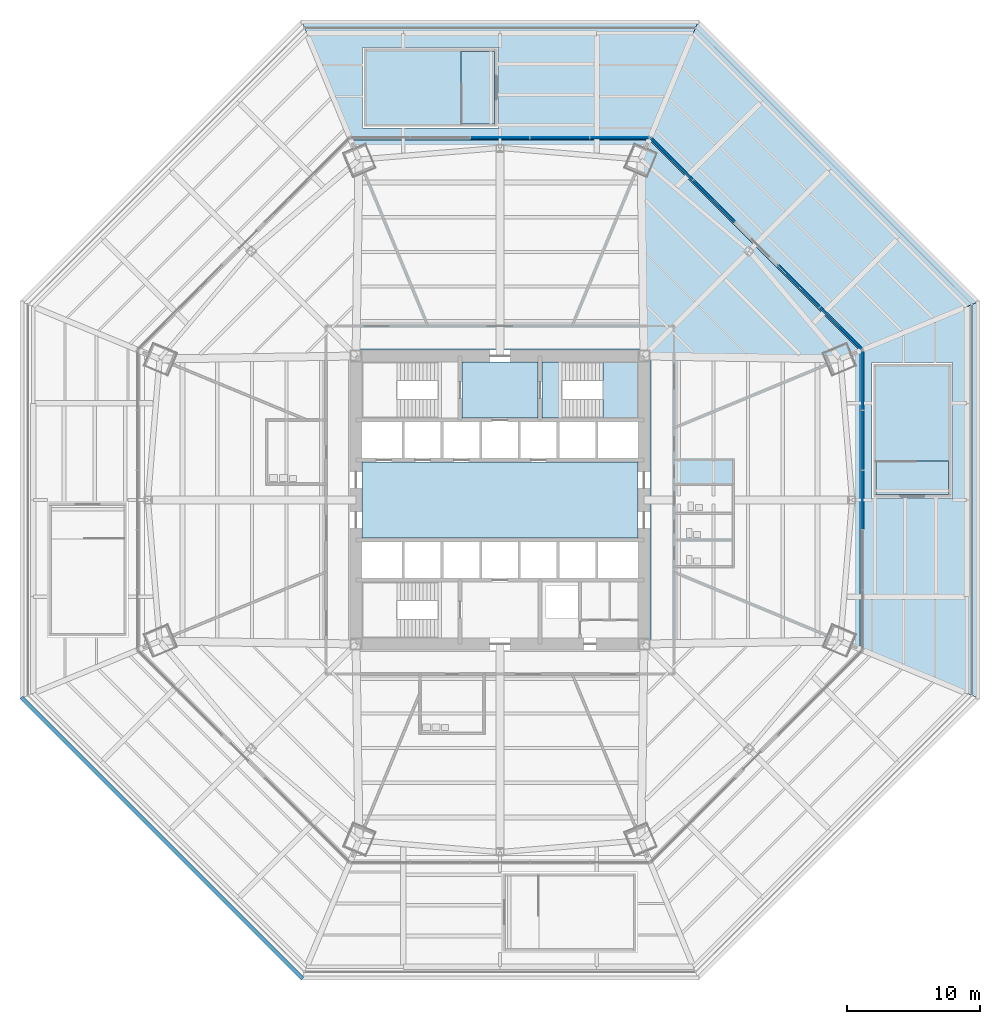
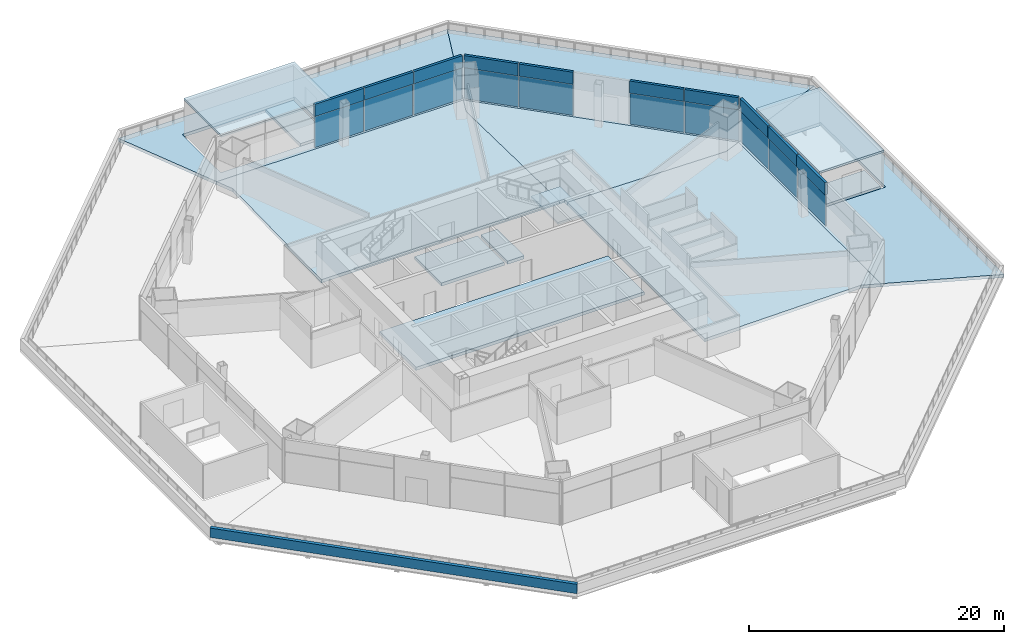
# One storey, part 14 of 25: 20 plates, 14 slabs, 1 wall, 5 elements without a shape of their own.
"""IFC4 building model written with IfcOpenShell, lengths in metres."""

import ifcopenshell
import ifcopenshell.guid

model = None  # the IFC model being written
_history = None  # IfcOwnerHistory: only IFC2X3 demands one
_inside = {}  # id of a spatial element -> (the spatial element, [elements in it])
_under = {}  # id of a project, library or spatial element -> (it, [spatial elements below it])
_declared = {}  # id of a project -> (the project, [libraries it declares])
_typed = {}  # id of a type object -> (the type object, [elements of that type])
_made_of = {}  # id of a material, layer set ... -> (it, [elements and type objects made of it])


def new_model(schema):
    """Start an empty IFC model of exactly this schema.

    Asked for "IFC4X3", IfcOpenShell would pick the latest addendum, in which some entities
    have other attributes; the version numbers below select the first issue.
    IFC2X3 requires an IfcOwnerHistory on every rooted entity: one is made here for all.
    """
    global model, _history
    if schema == "IFC4X3":
        model = ifcopenshell.file(schema_version=(4, 3, 0, 0))
    else:
        model = ifcopenshell.file(schema=schema)
    _inside.clear()
    _under.clear()
    _declared.clear()
    _typed.clear()
    _made_of.clear()
    _history = None
    if model.schema == "IFC2X3":
        org = make("IfcOrganization", Name="unknown")
        user = make(
            "IfcPersonAndOrganization",
            ThePerson=make("IfcPerson", FamilyName="unknown"),
            TheOrganization=org,
        )
        app = make(
            "IfcApplication",
            ApplicationDeveloper=org,
            Version="unknown",
            ApplicationFullName="unknown",
            ApplicationIdentifier="unknown",
        )
        _history = make(
            "IfcOwnerHistory",
            OwningUser=user,
            OwningApplication=app,
            ChangeAction="ADDED",
            CreationDate=0,
        )
    return model


def make(cls, **values):
    """One entity of the class cls with the attributes given. An attribute that is None is left unset."""
    return model.create_entity(
        cls, **{name: value for name, value in values.items() if value is not None}
    )


def rooted(cls, **values):
    """An entity with a GlobalId (a new one), such as an element, a storey or a relation."""
    return make(cls, GlobalId=ifcopenshell.guid.new(), OwnerHistory=_history, **values)


def si_unit(unit_type, name, prefix=None):
    """IfcSIUnit, for example si_unit("LENGTHUNIT", "METRE", prefix="MILLI")."""
    return make("IfcSIUnit", UnitType=unit_type, Prefix=prefix, Name=name)


def assignment(units):
    """IfcUnitAssignment: the units of a project."""
    return None if units is None else make("IfcUnitAssignment", Units=units)


def point(xyz):
    """IfcCartesianPoint."""
    return None if xyz is None else make("IfcCartesianPoint", Coordinates=xyz)


def direction(xyz):
    """IfcDirection."""
    return None if xyz is None else make("IfcDirection", DirectionRatios=xyz)


def frame(location, z_axis=None, x_axis=None):
    """IfcAxis2Placement3D, a coordinate frame: its origin and axes. An axis left out is left unset."""
    return make(
        "IfcAxis2Placement3D",
        Location=point(location),
        Axis=direction(z_axis),
        RefDirection=direction(x_axis),
    )


def frame_2d(location, x_axis=None):
    """IfcAxis2Placement2D, a coordinate frame in the plane: its origin and x axis."""
    return make(
        "IfcAxis2Placement2D", Location=point(location), RefDirection=direction(x_axis)
    )


def origin():
    """The frame at (0, 0, 0) with its axes left unset."""
    return frame((0.0, 0.0, 0.0))


def origin_2d():
    """The frame at (0, 0) in the plane with its x axis left unset."""
    return frame_2d((0.0, 0.0))


def place(relative_to, where):
    """IfcLocalPlacement: puts the frame where relative to a parent placement (None: the world)."""
    return make(
        "IfcLocalPlacement", PlacementRelTo=relative_to, RelativePlacement=where
    )


def context(
    kind, dimensions, precision=None, world=None, true_north=None, identifier=None
):
    """IfcGeometricRepresentationContext, for example the 3D "Model" context."""
    return make(
        "IfcGeometricRepresentationContext",
        ContextIdentifier=identifier,
        ContextType=kind,
        CoordinateSpaceDimension=dimensions,
        Precision=precision,
        WorldCoordinateSystem=world,
        TrueNorth=true_north,
    )


def subcontext(parent, identifier, kind, view, scale=None):
    """IfcGeometricRepresentationSubContext, for example "Body" below "Model"."""
    return make(
        "IfcGeometricRepresentationSubContext",
        ContextIdentifier=identifier,
        ContextType=kind,
        ParentContext=parent,
        TargetScale=scale,
        TargetView=view,
    )


def project(units=None, contexts=None):
    """IfcProject with its units and contexts."""
    return rooted(
        "IfcProject",
        Name="project",
        RepresentationContexts=contexts,
        UnitsInContext=assignment(units),
    )


def spatial(cls, under=None, at=None, **own):
    """A site, building, storey or space (cls), placed at a placement, below another one or the project."""
    s = rooted(cls, ObjectPlacement=at, **own)
    if under is not None:
        _under.setdefault(under.id(), (under, []))[1].append(s)
    return s


def polyline(points):
    """IfcPolyline through the points."""
    return make("IfcPolyline", Points=[point(p) for p in points])


def profile(cls, at=None, kind="AREA", **sizes):
    """A parametric profile (cls). Its sizes go by their IFC names, for example OverallWidth=200.0."""
    return make(cls, ProfileType=kind, Position=at, **sizes)


def rectangle(**sizes):
    """IfcRectangleProfileDef."""
    return profile("IfcRectangleProfileDef", **sizes)


def outline(outer, holes=None, kind="AREA"):
    """IfcArbitraryClosedProfileDef: a profile drawn as a closed curve; with holes, ...WithVoids."""
    if holes is None:
        return make("IfcArbitraryClosedProfileDef", ProfileType=kind, OuterCurve=outer)
    return make(
        "IfcArbitraryProfileDefWithVoids",
        ProfileType=kind,
        OuterCurve=outer,
        InnerCurves=holes,
    )


def extrude(swept, where, along, depth):
    """IfcExtrudedAreaSolid: the profile swept, set in the frame where, extruded along a direction by depth."""
    return make(
        "IfcExtrudedAreaSolid",
        SweptArea=swept,
        Position=where,
        ExtrudedDirection=direction(along),
        Depth=depth,
    )


def shape(context_of_items, identifier, shape_type, items):
    """IfcShapeRepresentation: the items that make up one representation, for example the "Body"."""
    return make(
        "IfcShapeRepresentation",
        ContextOfItems=context_of_items,
        RepresentationIdentifier=identifier,
        RepresentationType=shape_type,
        Items=items,
    )


def source(mapping_origin, context_of_items, identifier, shape_type, items):
    """IfcRepresentationMap: a shape defined once, which mapped items show again and again."""
    return make(
        "IfcRepresentationMap",
        MappingOrigin=mapping_origin,
        MappedRepresentation=shape(context_of_items, identifier, shape_type, items),
    )


def transform(
    local_origin,
    x_axis=None,
    y_axis=None,
    z_axis=None,
    scale=None,
    scale2=None,
    scale3=None,
    uniform=True,
):
    """IfcCartesianTransformationOperator3D, or its non-uniform kind. x_axis, y_axis, z_axis: its Axis1, 2, 3."""
    if uniform:
        return make(
            "IfcCartesianTransformationOperator3D",
            Axis1=direction(x_axis),
            Axis2=direction(y_axis),
            LocalOrigin=point(local_origin),
            Scale=scale,
            Axis3=direction(z_axis),
        )
    return make(
        "IfcCartesianTransformationOperator3DnonUniform",
        Axis1=direction(x_axis),
        Axis2=direction(y_axis),
        LocalOrigin=point(local_origin),
        Scale=scale,
        Axis3=direction(z_axis),
        Scale2=scale2,
        Scale3=scale3,
    )


def mapped(mapping_source, mapping_target):
    """IfcMappedItem: shows the shape of a source again, moved by a transform."""
    return make(
        "IfcMappedItem", MappingSource=mapping_source, MappingTarget=mapping_target
    )


def material(Name=None, Category=None):
    """IfcMaterial."""
    return make("IfcMaterial", Name=Name, Category=Category)


def layer(
    of_material, thickness, ventilated=None, Name=None, Category=None, Priority=None
):
    """IfcMaterialLayer: one layer of a wall or slab, of a material (None: an air gap)."""
    return make(
        "IfcMaterialLayer",
        Material=of_material,
        LayerThickness=thickness,
        IsVentilated=ventilated,
        Name=Name,
        Category=Category,
        Priority=Priority,
    )


def layer_set(layers, Name=None):
    """IfcMaterialLayerSet."""
    return make("IfcMaterialLayerSet", MaterialLayers=layers, LayerSetName=Name)


def made_of(thing, what):
    """Note that an element or type object is made of a material, layer set ...; save() writes the relation."""
    if what is not None:
        _made_of.setdefault(what.id(), (what, []))[1].append(thing)
    return thing


def type_object(cls, material=None, **own):
    """A type object (cls), such as IfcWallType, which elements share."""
    return made_of(rooted(cls, **own), material)


def type_shapes(of_type, sources):
    """Give a type object the sources (RepresentationMaps) that its elements show as mapped items."""
    of_type.RepresentationMaps = sources


def element(
    cls,
    number,
    at=None,
    inside=None,
    cuts=None,
    type_object=None,
    material=None,
    context=None,
    identifier="Body",
    shape_type=None,
    held_by="IfcProductDefinitionShape",
    body=None,
    shapes=None,
    **own,
):
    """One element of the class cls, such as IfcWall. Its Tag is "e" and its number.

    at: its placement. inside: the storey or other place that contains it. cuts: it is an
    opening in that element (IfcRelVoidsElement). A single representation is given by context,
    identifier, shape_type and body (its items); several are given by shapes. held_by: the class
    of the entity that holds the representations. save() writes the other relations.
    """
    e = rooted(cls, Tag="e%d" % number, ObjectPlacement=at, **own)
    if body is not None:
        shapes = [shape(context, identifier, shape_type, body)]
    if shapes is not None:
        e.Representation = make(held_by, Representations=shapes)
    if inside is not None:
        _inside.setdefault(inside.id(), (inside, []))[1].append(e)
    if cuts is not None:
        rooted(
            "IfcRelVoidsElement", RelatingBuildingElement=cuts, RelatedOpeningElement=e
        )
    if type_object is not None:
        _typed.setdefault(type_object.id(), (type_object, []))[1].append(e)
    return made_of(e, material)


def aggregate(whole, parts):
    """IfcRelAggregates: a whole, such as a stair, and the parts it consists of."""
    return rooted("IfcRelAggregates", RelatingObject=whole, RelatedObjects=parts)


def save(model, path):
    """Write the relations noted so far, then the file.

    IfcRelAggregates (storeys below a building ...), IfcRelContainedInSpatialStructure (elements
    in a storey), IfcRelDefinesByType, IfcRelAssociatesMaterial and IfcRelDeclares: one each for
    every whole, place, type object, material and project.
    """
    for whole, parts in _under.values():
        aggregate(whole, parts)
    for where, things in _inside.values():
        rooted(
            "IfcRelContainedInSpatialStructure",
            RelatedElements=things,
            RelatingStructure=where,
        )
    for kind, things in _typed.values():
        rooted("IfcRelDefinesByType", RelatedObjects=things, RelatingType=kind)
    for what, things in _made_of.values():
        rooted("IfcRelAssociatesMaterial", RelatedObjects=things, RelatingMaterial=what)
    for by, libraries in _declared.values():
        rooted("IfcRelDeclares", RelatingContext=by, RelatedDefinitions=libraries)
    model.write(path)


model = new_model("IFC4")

# Units and contexts
model_context = context("Model", 3, precision=1e-05, world=origin(), true_north=direction((0.0, 1.0)))
body_context = subcontext(model_context, "Body", "Model", "MODEL_VIEW")
ifc_project = project(units=[si_unit("LENGTHUNIT", "METRE"), si_unit("AREAUNIT", "SQUARE_METRE"), si_unit("VOLUMEUNIT", "CUBIC_METRE"), si_unit("PLANEANGLEUNIT", "RADIAN"), si_unit("MASSUNIT", "GRAM", prefix="KILO")], contexts=[model_context])

# Site, building, storey
site_placement = place(None, origin())
site = spatial("IfcSite", under=ifc_project, at=site_placement, CompositionType="ELEMENT")
building_placement = place(site_placement, origin())
building = spatial("IfcBuilding", under=site, at=building_placement, Name="Mashrafa Tower", CompositionType="ELEMENT")
storey_placement = place(building_placement, frame((0.0, 0.0, 28.800048828125)))
storey = spatial("IfcBuildingStorey", under=building, at=storey_placement, Name="L05", CompositionType="ELEMENT", Elevation=28.800048828125)

# Slabs
ifc_material_1 = material(Name="Concrete C35/45", Category="concrete")
ifc_layer_1 = layer(ifc_material_1, 0.300048828125)
ifc_layer_set_1 = layer_set([ifc_layer_1], Name="Floor slab 300")
slab_type_1 = type_object("IfcSlabType", Name="Floor slab 300", PredefinedType="FLOOR", material=ifc_layer_set_1)
slab_1_placement = place(storey_placement, frame((0.0, 0.0, -0.300048828125)))
element("IfcSlab", 1, at=slab_1_placement, inside=storey, type_object=slab_type_1, Name="Floor slab L05 east bay", PredefinedType="FLOOR", context=body_context, shape_type="SweptSolid", body=[
    extrude(outline(polyline([(27.0, 11.183837890625), (27.0, -11.183837890625), (27.0, -11.183837890625), (25.5302734375, -10.574951171875), (11.25, -10.793212890625), (11.25, 10.793212890625), (25.5302734375, 10.574951171875), (27.0, 11.183837890625), (27.0, 11.183837890625)])), origin(), (0.0, 0.0, 1.0), 0.300048828125),
])
slab_2_placement = place(storey_placement, frame((0.0, 0.0, -0.300048828125)))
element("IfcSlab", 2, at=slab_2_placement, inside=storey, type_object=slab_type_1, Name="Floor slab L05 north-east bay", PredefinedType="FLOOR", context=body_context, shape_type="SweptSolid", body=[
    extrude(outline(polyline([(27.0, 11.183837890625), (25.5302734375, 10.574951171875), (11.25, 10.793212890625), (11.25, 11.25), (10.793212890625, 11.25), (10.574951171875, 25.5302734375), (11.183837890625, 27.0), (27.0, 11.183837890625)])), origin(), (0.0, 0.0, 1.0), 0.300048828125),
])
slab_3_placement = place(storey_placement, frame((0.0, 0.0, -0.300048828125)))
element("IfcSlab", 3, at=slab_3_placement, inside=storey, type_object=slab_type_1, Name="Floor slab L05 north bay", PredefinedType="FLOOR", context=body_context, shape_type="SweptSolid", body=[
    extrude(outline(polyline([(-11.183837890625, 27.0), (11.183837890625, 27.0), (11.183837890625, 27.0), (10.574951171875, 25.5302734375), (10.793212890625, 11.25), (-10.793212890625, 11.25), (-10.574951171875, 25.5302734375), (-11.183837890625, 27.0), (-11.183837890625, 27.0)])), origin(), (0.0, 0.0, 1.0), 0.300048828125),
])
slab_4_placement = place(storey_placement, frame((0.0, 0.0, -0.300048828125)))
element("IfcSlab", 4, at=slab_4_placement, inside=storey, type_object=slab_type_1, Name="Core floor lift hall L05", PredefinedType="FLOOR", context=body_context, shape_type="SweptSolid", body=[
    extrude(outline(polyline([(-10.35009765625, 2.85009765625), (10.35009765625, 2.85009765625), (10.35009765625, -2.85009765625), (-10.35009765625, -2.85009765625), (-10.35009765625, 2.85009765625)])), origin(), (0.0, 0.0, 1.0), 0.300048828125),
])
slab_5_placement = place(storey_placement, frame((0.0, 0.0, -0.300048828125)))
element("IfcSlab", 5, at=slab_5_placement, inside=storey, type_object=slab_type_1, Name="Core floor fire-fighting lobby north L05", PredefinedType="FLOOR", context=body_context, shape_type="SweptSolid", body=[
    extrude(outline(polyline([(-2.85009765625, 10.35009765625), (2.85009765625, 10.35009765625), (2.85009765625, 6.14990234375), (-2.85009765625, 6.14990234375), (-2.85009765625, 10.35009765625)])), origin(), (0.0, 0.0, 1.0), 0.300048828125),
])
ifc_material_2 = material(Name="Concrete C35/45", Category="concrete")
ifc_layer_2 = layer(ifc_material_2, 0.300048828125)
ifc_layer_set_2 = layer_set([ifc_layer_2], Name="Roof garden slab 300")
slab_type_2 = type_object("IfcSlabType", Name="Roof garden slab 300", PredefinedType="ROOF", material=ifc_layer_set_2)
slab_6_placement = place(storey_placement, frame((0.0, 0.0, -0.300048828125)))
element("IfcSlab", 6, at=slab_6_placement, inside=storey, type_object=slab_type_2, Name="Podium roof garden slab east", PredefinedType="ROOF", context=body_context, shape_type="SweptSolid", body=[
    extrude(outline(polyline([(36.0, 14.91162109375), (36.0, -14.91162109375), (36.0, -14.91162109375), (27.0, -11.183837890625), (27.0, 11.183837890625), (36.0, 14.91162109375)]), holes=[polyline([(33.949951171875, 10.300048828125), (27.89990234375, 10.300048828125), (27.89990234375, 0.10009765625), (33.949951171875, 0.10009765625), (33.949951171875, 10.300048828125)])]), origin(), (0.0, 0.0, 1.0), 0.300048828125),
])
slab_7_placement = place(storey_placement, frame((0.0, 0.0, -0.300048828125)))
element("IfcSlab", 7, at=slab_7_placement, inside=storey, type_object=slab_type_2, Name="Podium roof garden slab north-east", PredefinedType="ROOF", context=body_context, shape_type="SweptSolid", body=[
    extrude(outline(polyline([(36.0, 14.91162109375), (27.0, 11.183837890625), (11.183837890625, 27.0), (14.91162109375, 36.0), (36.0, 14.91162109375)])), origin(), (0.0, 0.0, 1.0), 0.300048828125),
])
slab_8_placement = place(storey_placement, frame((0.0, 0.0, -0.300048828125)))
element("IfcSlab", 8, at=slab_8_placement, inside=storey, type_object=slab_type_2, Name="Podium roof garden slab north", PredefinedType="ROOF", context=body_context, shape_type="SweptSolid", body=[
    extrude(outline(polyline([(-14.91162109375, 36.0), (14.91162109375, 36.0), (14.91162109375, 36.0), (11.183837890625, 27.0), (-11.183837890625, 27.0), (-14.91162109375, 36.0)]), holes=[polyline([(-0.10009765625, 33.949951171875), (-10.300048828125, 33.949951171875), (-10.300048828125, 27.89990234375), (-0.10009765625, 27.89990234375), (-0.10009765625, 33.949951171875)])]), origin(), (0.0, 0.0, 1.0), 0.300048828125),
])
ifc_material_3 = material(Name="Concrete C40/50", Category="concrete")
ifc_layer_3 = layer(ifc_material_3, 0.199951171875)
ifc_layer_set_3 = layer_set([ifc_layer_3], Name="Stair head-house roof slab 200")
slab_type_3 = type_object("IfcSlabType", Name="Stair head-house roof slab 200", PredefinedType="ROOF", material=ifc_layer_set_3)
slab_9_placement = place(storey_placement, frame((0.0, 0.0, 3.300048828125)))
element("IfcSlab", 9, at=slab_9_placement, inside=storey, type_object=slab_type_3, Name="Stair P1 head-house roof", PredefinedType="ROOF", context=body_context, shape_type="SweptSolid", body=[
    extrude(outline(polyline([(28.0, 0.199951171875), (33.85009765625, 0.199951171875), (33.85009765625, 10.199951171875), (28.0, 10.199951171875), (28.0, 0.199951171875)])), origin(), (0.0, 0.0, 1.0), 0.199951171875),
])
slab_10_placement = place(storey_placement, frame((0.0, 0.0, 3.300048828125)))
element("IfcSlab", 10, at=slab_10_placement, inside=storey, type_object=slab_type_3, Name="Stair P2 head-house roof", PredefinedType="ROOF", context=body_context, shape_type="SweptSolid", body=[
    extrude(outline(polyline([(-10.199951171875, 28.0), (-0.199951171875, 28.0), (-0.199951171875, 33.85009765625), (-10.199951171875, 33.85009765625), (-10.199951171875, 28.0)])), origin(), (0.0, 0.0, 1.0), 0.199951171875),
])

# Stair, slabs
ifc_material_4 = material(Name="Exit stair 1400")
stair_type = type_object("IfcStairType", Name="Exit stair 1400", PredefinedType="HALF_TURN_STAIR", material=ifc_material_4)
stair_placement = place(storey_placement, origin())
stair = element("IfcStair", 11, at=stair_placement, inside=storey, type_object=stair_type, Name="Stair S2 L05", PredefinedType="HALF_TURN_STAIR")
ifc_material_5 = material(Name="Concrete C32/40", Category="concrete")
ifc_layer_4 = layer(ifc_material_5, 0.199951171875)
ifc_layer_set_4 = layer_set([ifc_layer_4], Name="Stair landing 200")
slab_type_4 = type_object("IfcSlabType", Name="Stair landing 200", PredefinedType="LANDING", material=ifc_layer_set_4)
slab_11_placement = place(storey_placement, frame((0.0, 0.0, 1.89990234375)))
slab_11 = element("IfcSlab", 12, at=slab_11_placement, type_object=slab_type_4, Name="S2 landing 2", PredefinedType="LANDING", context=body_context, shape_type="SweptSolid", body=[
    extrude(outline(polyline([(7.719970703125, 6.14990234375), (10.35009765625, 6.14990234375), (10.35009765625, 10.35009765625), (7.719970703125, 10.35009765625), (7.719970703125, 6.14990234375)])), origin(), (0.0, 0.0, 1.0), 0.199951171875),
])
ifc_material_6 = material(Name="Concrete C32/40", Category="concrete")
ifc_layer_5 = layer(ifc_material_6, 0.300048828125)
ifc_layer_set_5 = layer_set([ifc_layer_5], Name="Stair landing 300")
slab_type_5 = type_object("IfcSlabType", Name="Stair landing 300", PredefinedType="LANDING", material=ifc_layer_set_5)
slab_12_placement = place(storey_placement, frame((0.0, 0.0, -0.300048828125)))
slab_12 = element("IfcSlab", 13, at=slab_12_placement, type_object=slab_type_5, Name="S2 landing 1", PredefinedType="LANDING", context=body_context, shape_type="SweptSolid", body=[
    extrude(outline(polyline([(3.14990234375, 6.14990234375), (4.659912109375, 6.14990234375), (4.659912109375, 10.35009765625), (3.14990234375, 10.35009765625), (3.14990234375, 6.14990234375)])), origin(), (0.0, 0.0, 1.0), 0.300048828125),
])
aggregate(stair, [slab_12, slab_11])

# Slabs
slab_13_placement = place(storey_placement, frame((0.0, 0.0, -0.300048828125)))
element("IfcSlab", 14, at=slab_13_placement, inside=storey, type_object=slab_type_5, Name="Stair P1 landing L05", PredefinedType="LANDING", context=body_context, shape_type="SweptSolid", body=[
    extrude(outline(polyline([(33.64990234375, 0.39990234375), (33.64990234375, 2.909912109375), (28.199951171875, 2.909912109375), (28.199951171875, 0.39990234375), (33.64990234375, 0.39990234375)])), origin(), (0.0, 0.0, 1.0), 0.300048828125),
])
slab_14_placement = place(storey_placement, frame((0.0, 0.0, -0.300048828125)))
element("IfcSlab", 15, at=slab_14_placement, inside=storey, type_object=slab_type_5, Name="Stair P2 landing L05", PredefinedType="LANDING", context=body_context, shape_type="SweptSolid", body=[
    extrude(outline(polyline([(-2.909912109375, 28.199951171875), (-0.39990234375, 28.199951171875), (-0.39990234375, 33.64990234375), (-2.909912109375, 33.64990234375), (-2.909912109375, 28.199951171875)])), origin(), (0.0, 0.0, 1.0), 0.300048828125),
])

# Curtain wall, plate
ifc_material_7 = material(Name="Unitised aluminium curtain wall", Category="aluminium")
curtain_wall_type = type_object("IfcCurtainWallType", Name="Office curtain wall, zone 1 CW-A 200 deep", PredefinedType="NOTDEFINED", material=ifc_material_7)
curtain_wall_1_placement = place(storey_placement, origin())
curtain_wall_1 = element("IfcCurtainWall", 16, at=curtain_wall_1_placement, inside=storey, type_object=curtain_wall_type, Name="Office curtain wall, zone 1 L05 east", PredefinedType="NOTDEFINED")
ifc_material_8 = material(Name="Insulated double glazing, low-e, neutral", Category="glass")
ifc_layer_6 = layer(ifc_material_8, 0.028076171875)
ifc_layer_set_6 = layer_set([ifc_layer_6], Name="Vision panel CW-A 28")
plate_type_1 = type_object("IfcPlateType", Name="Vision panel CW-A 28", PredefinedType="CURTAIN_PANEL", material=ifc_layer_set_6)
shared_shape_1 = source(origin(), body_context, "Body", "SweptSolid", [
    extrude(rectangle(XDim=4.388671875, YDim=0.028076171875, at=origin_2d()), origin(), (0.0, 0.0, 1.0), 2.9599609375),
])
plate_1_placement = place(storey_placement, frame((27.199951171875, 8.955810546875, 0.0), z_axis=(0.0, 0.0, 1.0), x_axis=(0.0, 1.0, 0.0)))
plate_1 = element("IfcPlate", 17, at=plate_1_placement, type_object=plate_type_1, Name="CW-A vision panel 5", PredefinedType="CURTAIN_PANEL", context=body_context, shape_type="MappedRepresentation", body=[
    mapped(shared_shape_1, transform((0.0, 0.0, 0.0))),
])

# Curtain wall, plates
curtain_wall_2_placement = place(storey_placement, origin())
curtain_wall_2 = element("IfcCurtainWall", 18, at=curtain_wall_2_placement, inside=storey, type_object=curtain_wall_type, Name="Office curtain wall, zone 1 L05 north-east part 1", PredefinedType="NOTDEFINED")
plate_2_placement = place(storey_placement, frame((25.566162109375, 12.900634765625, 0.0), z_axis=(0.0, 0.0, 1.0), x_axis=(-0.707106781187, 0.707106781187, 0.0)))
plate_2 = element("IfcPlate", 19, at=plate_2_placement, type_object=plate_type_1, Name="CW-A vision panel 1", PredefinedType="CURTAIN_PANEL", context=body_context, shape_type="MappedRepresentation", body=[
    mapped(shared_shape_1, transform((0.0, 0.0, 0.0))),
])
plate_3_placement = place(storey_placement, frame((22.4169921875, 16.049560546875, 0.0), z_axis=(0.0, 0.0, 1.0), x_axis=(-0.707106781187, 0.707106781187, 0.0)))
plate_3 = element("IfcPlate", 20, at=plate_3_placement, type_object=plate_type_1, Name="CW-A vision panel 2", PredefinedType="CURTAIN_PANEL", context=body_context, shape_type="MappedRepresentation", body=[
    mapped(shared_shape_1, transform((0.0, 0.0, 0.0))),
])

curtain_wall_3_placement = place(storey_placement, origin())
curtain_wall_3 = element("IfcCurtainWall", 21, at=curtain_wall_3_placement, inside=storey, type_object=curtain_wall_type, Name="Office curtain wall, zone 1 L05 north-east part 2", PredefinedType="NOTDEFINED")
plate_4_placement = place(storey_placement, frame((16.049560546875, 22.4169921875, 0.0), z_axis=(0.0, 0.0, 1.0), x_axis=(-0.707106781187, 0.707106781187, 0.0)))
plate_4 = element("IfcPlate", 22, at=plate_4_placement, type_object=plate_type_1, Name="CW-A vision panel 1", PredefinedType="CURTAIN_PANEL", context=body_context, shape_type="MappedRepresentation", body=[
    mapped(shared_shape_1, transform((0.0, 0.0, 0.0))),
])
plate_5_placement = place(storey_placement, frame((12.900634765625, 25.566162109375, 0.0), z_axis=(0.0, 0.0, 1.0), x_axis=(-0.707106781187, 0.707106781187, 0.0)))
plate_5 = element("IfcPlate", 23, at=plate_5_placement, type_object=plate_type_1, Name="CW-A vision panel 2", PredefinedType="CURTAIN_PANEL", context=body_context, shape_type="MappedRepresentation", body=[
    mapped(shared_shape_1, transform((0.0, 0.0, 0.0))),
])

# Curtain wall, plate
curtain_wall_4_placement = place(storey_placement, origin())
curtain_wall_4 = element("IfcCurtainWall", 24, at=curtain_wall_4_placement, inside=storey, type_object=curtain_wall_type, Name="Office curtain wall, zone 1 L05 north", PredefinedType="NOTDEFINED")
plate_6_placement = place(storey_placement, frame((8.955810546875, 27.199951171875, 0.0), z_axis=(0.0, 0.0, 1.0), x_axis=(-1.0, 0.0, 0.0)))
plate_6 = element("IfcPlate", 25, at=plate_6_placement, type_object=plate_type_1, Name="CW-A vision panel 1", PredefinedType="CURTAIN_PANEL", context=body_context, shape_type="MappedRepresentation", body=[
    mapped(shared_shape_1, transform((0.0, 0.0, 0.0))),
])

# Plate
ifc_material_9 = material(Name="Insulated aluminium spandrel panel", Category="aluminium")
ifc_layer_7 = layer(ifc_material_9, 0.219970703125)
ifc_layer_set_7 = layer_set([ifc_layer_7], Name="Spandrel panel CW-A 220")
plate_type_2 = type_object("IfcPlateType", Name="Spandrel panel CW-A 220", PredefinedType="CURTAIN_PANEL", material=ifc_layer_set_7)
shared_shape_2 = source(origin(), body_context, "Body", "SweptSolid", [
    extrude(rectangle(XDim=4.388671875, YDim=0.219970703125, at=origin_2d()), origin(), (0.0, 0.0, 1.0), 1.159912109375),
])
plate_7_placement = place(storey_placement, frame((27.199951171875, 8.955810546875, 3.0400390625), z_axis=(0.0, 0.0, 1.0), x_axis=(0.0, 1.0, 0.0)))
plate_7 = element("IfcPlate", 26, at=plate_7_placement, type_object=plate_type_2, Name="CW-A spandrel panel 5", PredefinedType="CURTAIN_PANEL", context=body_context, shape_type="MappedRepresentation", body=[
    mapped(shared_shape_2, transform((0.0, 0.0, 0.0))),
])

plate_8_placement = place(storey_placement, frame((25.566162109375, 12.900634765625, 3.0400390625), z_axis=(0.0, 0.0, 1.0), x_axis=(-0.707106781187, 0.707106781187, 0.0)))
plate_8 = element("IfcPlate", 27, at=plate_8_placement, type_object=plate_type_2, Name="CW-A spandrel panel 1", PredefinedType="CURTAIN_PANEL", context=body_context, shape_type="MappedRepresentation", body=[
    mapped(shared_shape_2, transform((0.0, 0.0, 0.0))),
])

plate_9_placement = place(storey_placement, frame((22.4169921875, 16.049560546875, 3.0400390625), z_axis=(0.0, 0.0, 1.0), x_axis=(-0.707106781187, 0.707106781187, 0.0)))
plate_9 = element("IfcPlate", 28, at=plate_9_placement, type_object=plate_type_2, Name="CW-A spandrel panel 2", PredefinedType="CURTAIN_PANEL", context=body_context, shape_type="MappedRepresentation", body=[
    mapped(shared_shape_2, transform((0.0, 0.0, 0.0))),
])

aggregate(curtain_wall_2, [plate_2, plate_8, plate_3, plate_9])

plate_10_placement = place(storey_placement, frame((16.049560546875, 22.4169921875, 3.0400390625), z_axis=(0.0, 0.0, 1.0), x_axis=(-0.707106781187, 0.707106781187, 0.0)))
plate_10 = element("IfcPlate", 29, at=plate_10_placement, type_object=plate_type_2, Name="CW-A spandrel panel 1", PredefinedType="CURTAIN_PANEL", context=body_context, shape_type="MappedRepresentation", body=[
    mapped(shared_shape_2, transform((0.0, 0.0, 0.0))),
])

plate_11_placement = place(storey_placement, frame((12.900634765625, 25.566162109375, 3.0400390625), z_axis=(0.0, 0.0, 1.0), x_axis=(-0.707106781187, 0.707106781187, 0.0)))
plate_11 = element("IfcPlate", 30, at=plate_11_placement, type_object=plate_type_2, Name="CW-A spandrel panel 2", PredefinedType="CURTAIN_PANEL", context=body_context, shape_type="MappedRepresentation", body=[
    mapped(shared_shape_2, transform((0.0, 0.0, 0.0))),
])

aggregate(curtain_wall_3, [plate_4, plate_10, plate_5, plate_11])

plate_12_placement = place(storey_placement, frame((8.955810546875, 27.199951171875, 3.0400390625), z_axis=(0.0, 0.0, 1.0), x_axis=(-1.0, 0.0, 0.0)))
plate_12 = element("IfcPlate", 31, at=plate_12_placement, type_object=plate_type_2, Name="CW-A spandrel panel 1", PredefinedType="CURTAIN_PANEL", context=body_context, shape_type="MappedRepresentation", body=[
    mapped(shared_shape_2, transform((0.0, 0.0, 0.0))),
])

shared_shape_3 = source(origin(), body_context, "Body", "SweptSolid", [
    extrude(rectangle(XDim=4.421142578125, YDim=0.028076171875, at=origin_2d()), origin(), (0.0, 0.0, 1.0), 2.9599609375),
])
type_shapes(plate_type_1, [shared_shape_1, shared_shape_3])
plate_13_placement = place(storey_placement, frame((27.199951171875, 0.0, 0.0), z_axis=(0.0, 0.0, 1.0), x_axis=(0.0, 1.0, 0.0)))
plate_13 = element("IfcPlate", 32, at=plate_13_placement, type_object=plate_type_1, Name="CW-A vision panel 3", PredefinedType="CURTAIN_PANEL", context=body_context, shape_type="MappedRepresentation", body=[
    mapped(shared_shape_3, transform((0.0, 0.0, 0.0))),
])

plate_14_placement = place(storey_placement, frame((27.199951171875, 4.486083984375, 0.0), z_axis=(0.0, 0.0, 1.0), x_axis=(0.0, 1.0, 0.0)))
plate_14 = element("IfcPlate", 33, at=plate_14_placement, type_object=plate_type_1, Name="CW-A vision panel 4", PredefinedType="CURTAIN_PANEL", context=body_context, shape_type="MappedRepresentation", body=[
    mapped(shared_shape_3, transform((0.0, 0.0, 0.0))),
])

plate_15_placement = place(storey_placement, frame((4.486083984375, 27.199951171875, 0.0), z_axis=(0.0, 0.0, 1.0), x_axis=(-1.0, 0.0, 0.0)))
plate_15 = element("IfcPlate", 34, at=plate_15_placement, type_object=plate_type_1, Name="CW-A vision panel 2", PredefinedType="CURTAIN_PANEL", context=body_context, shape_type="MappedRepresentation", body=[
    mapped(shared_shape_3, transform((0.0, 0.0, 0.0))),
])

plate_16_placement = place(storey_placement, frame((0.0, 27.199951171875, 0.0), z_axis=(0.0, 0.0, 1.0), x_axis=(-1.0, 0.0, 0.0)))
plate_16 = element("IfcPlate", 35, at=plate_16_placement, type_object=plate_type_1, Name="CW-A vision panel 3", PredefinedType="CURTAIN_PANEL", context=body_context, shape_type="MappedRepresentation", body=[
    mapped(shared_shape_3, transform((0.0, 0.0, 0.0))),
])

shared_shape_4 = source(origin(), body_context, "Body", "SweptSolid", [
    extrude(rectangle(XDim=4.421142578125, YDim=0.219970703125, at=origin_2d()), origin(), (0.0, 0.0, 1.0), 1.159912109375),
])
type_shapes(plate_type_2, [shared_shape_2, shared_shape_4])
plate_17_placement = place(storey_placement, frame((27.199951171875, 0.0, 3.0400390625), z_axis=(0.0, 0.0, 1.0), x_axis=(0.0, 1.0, 0.0)))
plate_17 = element("IfcPlate", 36, at=plate_17_placement, type_object=plate_type_2, Name="CW-A spandrel panel 3", PredefinedType="CURTAIN_PANEL", context=body_context, shape_type="MappedRepresentation", body=[
    mapped(shared_shape_4, transform((0.0, 0.0, 0.0))),
])

plate_18_placement = place(storey_placement, frame((27.199951171875, 4.486083984375, 3.0400390625), z_axis=(0.0, 0.0, 1.0), x_axis=(0.0, 1.0, 0.0)))
plate_18 = element("IfcPlate", 37, at=plate_18_placement, type_object=plate_type_2, Name="CW-A spandrel panel 4", PredefinedType="CURTAIN_PANEL", context=body_context, shape_type="MappedRepresentation", body=[
    mapped(shared_shape_4, transform((0.0, 0.0, 0.0))),
])

aggregate(curtain_wall_1, [plate_13, plate_17, plate_14, plate_18, plate_1, plate_7])

plate_19_placement = place(storey_placement, frame((4.486083984375, 27.199951171875, 3.0400390625), z_axis=(0.0, 0.0, 1.0), x_axis=(-1.0, 0.0, 0.0)))
plate_19 = element("IfcPlate", 38, at=plate_19_placement, type_object=plate_type_2, Name="CW-A spandrel panel 2", PredefinedType="CURTAIN_PANEL", context=body_context, shape_type="MappedRepresentation", body=[
    mapped(shared_shape_4, transform((0.0, 0.0, 0.0))),
])

plate_20_placement = place(storey_placement, frame((0.0, 27.199951171875, 3.0400390625), z_axis=(0.0, 0.0, 1.0), x_axis=(-1.0, 0.0, 0.0)))
plate_20 = element("IfcPlate", 39, at=plate_20_placement, type_object=plate_type_2, Name="CW-A spandrel panel 3", PredefinedType="CURTAIN_PANEL", context=body_context, shape_type="MappedRepresentation", body=[
    mapped(shared_shape_4, transform((0.0, 0.0, 0.0))),
])

aggregate(curtain_wall_4, [plate_6, plate_12, plate_15, plate_19, plate_16, plate_20])

# Wall
ifc_material_10 = material(Name="Limestone-clad parapet", Category="masonry")
ifc_layer_8 = layer(ifc_material_10, 0.300048828125)
ifc_layer_set_8 = layer_set([ifc_layer_8], Name="Limestone parapet 300")
wall_type = type_object("IfcWallType", Name="Limestone parapet 300", PredefinedType="PARAPET", material=ifc_layer_set_8)
wall_placement = place(storey_placement, frame((-35.89404296875, -14.8056640625, 0.0), z_axis=(0.0, 0.0, 1.0), x_axis=(0.707106781187, -0.707106781187, 0.0)))
element("IfcWall", 40, at=wall_placement, inside=storey, type_object=wall_type, Name="Parapet L05 south-west", PredefinedType="PARAPET", context=body_context, shape_type="SweptSolid", body=[
    extrude(rectangle(XDim=29.823486328125, YDim=0.300048828125, at=frame_2d((14.91162109375, 0.0))), origin(), (0.0, 0.0, 1.0), 0.89990234375),
])

save(model, "model.ifc")
